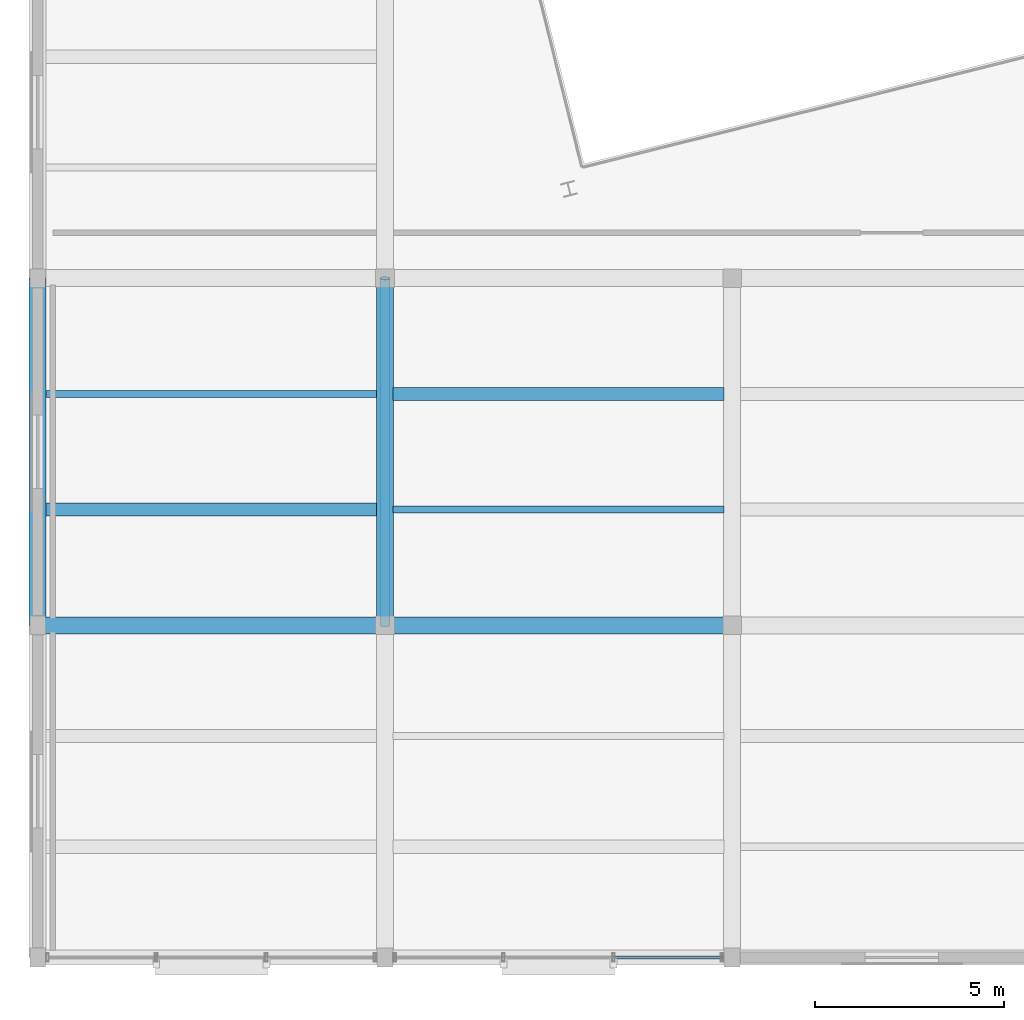
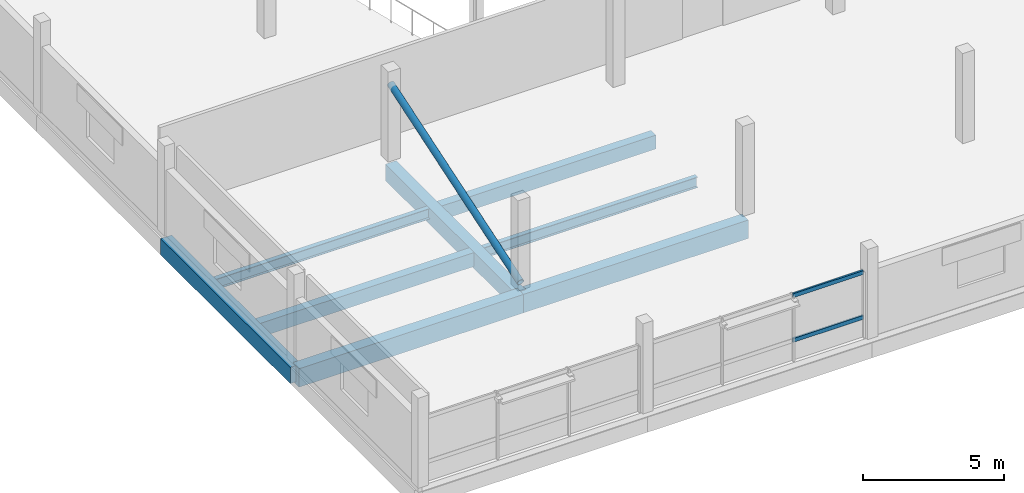
# One storey, part 8 of 62: 8 beams, 3 members, 1 element without a shape of its own.
"""IFC4 building model written with IfcOpenShell, lengths in metres."""

import ifcopenshell
import ifcopenshell.guid

model = None  # the IFC model being written
_history = None  # IfcOwnerHistory: only IFC2X3 demands one
_inside = {}  # id of a spatial element -> (the spatial element, [elements in it])
_under = {}  # id of a project, library or spatial element -> (it, [spatial elements below it])
_declared = {}  # id of a project -> (the project, [libraries it declares])
_typed = {}  # id of a type object -> (the type object, [elements of that type])
_made_of = {}  # id of a material, layer set ... -> (it, [elements and type objects made of it])


def new_model(schema):
    """Start an empty IFC model of exactly this schema.

    Asked for "IFC4X3", IfcOpenShell would pick the latest addendum, in which some entities
    have other attributes; the version numbers below select the first issue.
    IFC2X3 requires an IfcOwnerHistory on every rooted entity: one is made here for all.
    """
    global model, _history
    if schema == "IFC4X3":
        model = ifcopenshell.file(schema_version=(4, 3, 0, 0))
    else:
        model = ifcopenshell.file(schema=schema)
    _inside.clear()
    _under.clear()
    _declared.clear()
    _typed.clear()
    _made_of.clear()
    _history = None
    if model.schema == "IFC2X3":
        org = make("IfcOrganization", Name="unknown")
        user = make(
            "IfcPersonAndOrganization",
            ThePerson=make("IfcPerson", FamilyName="unknown"),
            TheOrganization=org,
        )
        app = make(
            "IfcApplication",
            ApplicationDeveloper=org,
            Version="unknown",
            ApplicationFullName="unknown",
            ApplicationIdentifier="unknown",
        )
        _history = make(
            "IfcOwnerHistory",
            OwningUser=user,
            OwningApplication=app,
            ChangeAction="ADDED",
            CreationDate=0,
        )
    return model


def make(cls, **values):
    """One entity of the class cls with the attributes given. An attribute that is None is left unset."""
    return model.create_entity(
        cls, **{name: value for name, value in values.items() if value is not None}
    )


def rooted(cls, **values):
    """An entity with a GlobalId (a new one), such as an element, a storey or a relation."""
    return make(cls, GlobalId=ifcopenshell.guid.new(), OwnerHistory=_history, **values)


def si_unit(unit_type, name, prefix=None):
    """IfcSIUnit, for example si_unit("LENGTHUNIT", "METRE", prefix="MILLI")."""
    return make("IfcSIUnit", UnitType=unit_type, Prefix=prefix, Name=name)


def assignment(units):
    """IfcUnitAssignment: the units of a project."""
    return None if units is None else make("IfcUnitAssignment", Units=units)


def point(xyz):
    """IfcCartesianPoint."""
    return None if xyz is None else make("IfcCartesianPoint", Coordinates=xyz)


def direction(xyz):
    """IfcDirection."""
    return None if xyz is None else make("IfcDirection", DirectionRatios=xyz)


def frame(location, z_axis=None, x_axis=None):
    """IfcAxis2Placement3D, a coordinate frame: its origin and axes. An axis left out is left unset."""
    return make(
        "IfcAxis2Placement3D",
        Location=point(location),
        Axis=direction(z_axis),
        RefDirection=direction(x_axis),
    )


def frame_2d(location, x_axis=None):
    """IfcAxis2Placement2D, a coordinate frame in the plane: its origin and x axis."""
    return make(
        "IfcAxis2Placement2D", Location=point(location), RefDirection=direction(x_axis)
    )


def origin():
    """The frame at (0, 0, 0) with its axes left unset."""
    return frame((0.0, 0.0, 0.0))


def origin_2d():
    """The frame at (0, 0) in the plane with its x axis left unset."""
    return frame_2d((0.0, 0.0))


def place(relative_to, where):
    """IfcLocalPlacement: puts the frame where relative to a parent placement (None: the world)."""
    return make(
        "IfcLocalPlacement", PlacementRelTo=relative_to, RelativePlacement=where
    )


def context(
    kind, dimensions, precision=None, world=None, true_north=None, identifier=None
):
    """IfcGeometricRepresentationContext, for example the 3D "Model" context."""
    return make(
        "IfcGeometricRepresentationContext",
        ContextIdentifier=identifier,
        ContextType=kind,
        CoordinateSpaceDimension=dimensions,
        Precision=precision,
        WorldCoordinateSystem=world,
        TrueNorth=true_north,
    )


def subcontext(parent, identifier, kind, view, scale=None):
    """IfcGeometricRepresentationSubContext, for example "Body" below "Model"."""
    return make(
        "IfcGeometricRepresentationSubContext",
        ContextIdentifier=identifier,
        ContextType=kind,
        ParentContext=parent,
        TargetScale=scale,
        TargetView=view,
    )


def project(units=None, contexts=None):
    """IfcProject with its units and contexts."""
    return rooted(
        "IfcProject",
        Name="project",
        RepresentationContexts=contexts,
        UnitsInContext=assignment(units),
    )


def spatial(cls, under=None, at=None, **own):
    """A site, building, storey or space (cls), placed at a placement, below another one or the project."""
    s = rooted(cls, ObjectPlacement=at, **own)
    if under is not None:
        _under.setdefault(under.id(), (under, []))[1].append(s)
    return s


def profile(cls, at=None, kind="AREA", **sizes):
    """A parametric profile (cls). Its sizes go by their IFC names, for example OverallWidth=200.0."""
    return make(cls, ProfileType=kind, Position=at, **sizes)


def rectangle(**sizes):
    """IfcRectangleProfileDef."""
    return profile("IfcRectangleProfileDef", **sizes)


def hollow_rectangle(**sizes):
    """IfcRectangleHollowProfileDef."""
    return profile("IfcRectangleHollowProfileDef", **sizes)


def hollow_circle(**sizes):
    """IfcCircleHollowProfileDef."""
    return profile("IfcCircleHollowProfileDef", **sizes)


def i_section(**sizes):
    """IfcIShapeProfileDef."""
    return profile("IfcIShapeProfileDef", **sizes)


def extrude(swept, where, along, depth):
    """IfcExtrudedAreaSolid: the profile swept, set in the frame where, extruded along a direction by depth."""
    return make(
        "IfcExtrudedAreaSolid",
        SweptArea=swept,
        Position=where,
        ExtrudedDirection=direction(along),
        Depth=depth,
    )


def shape(context_of_items, identifier, shape_type, items):
    """IfcShapeRepresentation: the items that make up one representation, for example the "Body"."""
    return make(
        "IfcShapeRepresentation",
        ContextOfItems=context_of_items,
        RepresentationIdentifier=identifier,
        RepresentationType=shape_type,
        Items=items,
    )


def material(Name=None, Category=None):
    """IfcMaterial."""
    return make("IfcMaterial", Name=Name, Category=Category)


def layer(
    of_material, thickness, ventilated=None, Name=None, Category=None, Priority=None
):
    """IfcMaterialLayer: one layer of a wall or slab, of a material (None: an air gap)."""
    return make(
        "IfcMaterialLayer",
        Material=of_material,
        LayerThickness=thickness,
        IsVentilated=ventilated,
        Name=Name,
        Category=Category,
        Priority=Priority,
    )


def layer_set(layers, Name=None):
    """IfcMaterialLayerSet."""
    return make("IfcMaterialLayerSet", MaterialLayers=layers, LayerSetName=Name)


def material_profile(
    of_material, cross_section, Name=None, Category=None, Priority=None
):
    """IfcMaterialProfile: a cross section and its material."""
    return make(
        "IfcMaterialProfile",
        Name=Name,
        Material=of_material,
        Profile=cross_section,
        Priority=Priority,
        Category=Category,
    )


def profile_set(profiles, Name=None, composite=None):
    """IfcMaterialProfileSet."""
    return make(
        "IfcMaterialProfileSet",
        Name=Name,
        MaterialProfiles=profiles,
        CompositeProfile=composite,
    )


def made_of(thing, what):
    """Note that an element or type object is made of a material, layer set ...; save() writes the relation."""
    if what is not None:
        _made_of.setdefault(what.id(), (what, []))[1].append(thing)
    return thing


def type_object(cls, material=None, **own):
    """A type object (cls), such as IfcWallType, which elements share."""
    return made_of(rooted(cls, **own), material)


def element(
    cls,
    number,
    at=None,
    inside=None,
    cuts=None,
    type_object=None,
    material=None,
    context=None,
    identifier="Body",
    shape_type=None,
    held_by="IfcProductDefinitionShape",
    body=None,
    shapes=None,
    **own,
):
    """One element of the class cls, such as IfcWall. Its Tag is "e" and its number.

    at: its placement. inside: the storey or other place that contains it. cuts: it is an
    opening in that element (IfcRelVoidsElement). A single representation is given by context,
    identifier, shape_type and body (its items); several are given by shapes. held_by: the class
    of the entity that holds the representations. save() writes the other relations.
    """
    e = rooted(cls, Tag="e%d" % number, ObjectPlacement=at, **own)
    if body is not None:
        shapes = [shape(context, identifier, shape_type, body)]
    if shapes is not None:
        e.Representation = make(held_by, Representations=shapes)
    if inside is not None:
        _inside.setdefault(inside.id(), (inside, []))[1].append(e)
    if cuts is not None:
        rooted(
            "IfcRelVoidsElement", RelatingBuildingElement=cuts, RelatedOpeningElement=e
        )
    if type_object is not None:
        _typed.setdefault(type_object.id(), (type_object, []))[1].append(e)
    return made_of(e, material)


def aggregate(whole, parts):
    """IfcRelAggregates: a whole, such as a stair, and the parts it consists of."""
    return rooted("IfcRelAggregates", RelatingObject=whole, RelatedObjects=parts)


def save(model, path):
    """Write the relations noted so far, then the file.

    IfcRelAggregates (storeys below a building ...), IfcRelContainedInSpatialStructure (elements
    in a storey), IfcRelDefinesByType, IfcRelAssociatesMaterial and IfcRelDeclares: one each for
    every whole, place, type object, material and project.
    """
    for whole, parts in _under.values():
        aggregate(whole, parts)
    for where, things in _inside.values():
        rooted(
            "IfcRelContainedInSpatialStructure",
            RelatedElements=things,
            RelatingStructure=where,
        )
    for kind, things in _typed.values():
        rooted("IfcRelDefinesByType", RelatedObjects=things, RelatingType=kind)
    for what, things in _made_of.values():
        rooted("IfcRelAssociatesMaterial", RelatedObjects=things, RelatingMaterial=what)
    for by, libraries in _declared.values():
        rooted("IfcRelDeclares", RelatingContext=by, RelatedDefinitions=libraries)
    model.write(path)


model = new_model("IFC4")

# Units and contexts
model_context = context("Model", 3, precision=1e-05, world=origin(), true_north=direction((0.0, 1.0)))
body_context = subcontext(model_context, "Body", "Model", "MODEL_VIEW")
ifc_project = project(units=[si_unit("LENGTHUNIT", "METRE"), si_unit("AREAUNIT", "SQUARE_METRE"), si_unit("VOLUMEUNIT", "CUBIC_METRE"), si_unit("PLANEANGLEUNIT", "RADIAN"), si_unit("MASSUNIT", "GRAM", prefix="KILO")], contexts=[model_context])

# Site, building, storey
site_placement = place(None, origin())
site = spatial("IfcSite", under=ifc_project, at=site_placement, CompositionType="ELEMENT")
building_placement = place(site_placement, origin())
building = spatial("IfcBuilding", under=site, at=building_placement, Name="Meriwether Solvik Hall", CompositionType="ELEMENT")
storey_placement = place(building_placement, frame((0.0, 0.0, 14.39990234375)))
storey = spatial("IfcBuildingStorey", under=building, at=storey_placement, Name="L03", CompositionType="ELEMENT", Elevation=14.39990234375)

# Beams
ifc_material_1 = material(Name="Concrete C40/50", Category="concrete")
ifc_material_profile_1 = material_profile(ifc_material_1, rectangle(XDim=0.35009765625, YDim=0.60009765625, at=origin_2d()), Name="RCB-350X600")
ifc_profile_set_1 = profile_set([ifc_material_profile_1], Name="Concrete C40/50")
beam_type_1 = type_object("IfcBeamType", Name="BM-RC-350X600", PredefinedType="JOIST", material=ifc_profile_set_1)
beam_1_placement = place(storey_placement, frame((59.6201171875, 17.066650390625, -0.544921875), z_axis=(1.0, 0.0, 0.0), x_axis=(0.0, 1.0, 0.0)))
element("IfcBeam", 1, at=beam_1_placement, inside=storey, type_object=beam_type_1, Name="Secondary Floor Joist 7/B_J1 (L03)", PredefinedType="JOIST", context=body_context, shape_type="SweptSolid", body=[
    extrude(rectangle(XDim=0.35009765625, YDim=0.60009765625, at=origin_2d()), origin(), (0.0, 0.0, 1.0), 8.759765625),
])
beam_2_placement = place(storey_placement, frame((68.820068359375, 20.13330078125, -0.544921875), z_axis=(1.0, 0.0, 0.0), x_axis=(0.0, 1.0, 0.0)))
element("IfcBeam", 2, at=beam_2_placement, inside=storey, type_object=beam_type_1, Name="Secondary Floor Joist 8/B_J2 (L03)", PredefinedType="JOIST", context=body_context, shape_type="SweptSolid", body=[
    extrude(rectangle(XDim=0.35009765625, YDim=0.60009765625, at=origin_2d()), origin(), (0.0, 0.0, 1.0), 8.760009765625),
])
ifc_material_2 = material(Name="Concrete C40/50", Category="concrete")
ifc_material_profile_2 = material_profile(ifc_material_2, rectangle(XDim=0.449951171875, YDim=0.699951171875, at=origin_2d()), Name="RCB-450X700")
ifc_profile_set_2 = profile_set([ifc_material_profile_2], Name="Concrete C40/50")
beam_type_2 = type_object("IfcBeamType", Name="BM-RC-450X700", PredefinedType="BEAM", material=ifc_profile_set_2)
for number, where, z_axis, x_axis, name in (
    (3, (59.39990234375, 14.0, -0.594970703125), (0.0, 1.0, 0.0), (-1.0, 0.0, 0.0), "Podium Girder 7:B-C (L03)"),
    (4, (68.60009765625, 14.0, -0.594970703125), (0.0, 1.0, 0.0), (-1.0, 0.0, 0.0), "Podium Girder 8:B-C (L03)"),
):
    element("IfcBeam", number, at=place(storey_placement, frame(where, z_axis=z_axis, x_axis=x_axis)), inside=storey, type_object=beam_type_2, Name=name, PredefinedType="BEAM", context=body_context, shape_type="SweptSolid", body=[
        extrude(rectangle(XDim=0.449951171875, YDim=0.699951171875, at=origin_2d()), origin(), (0.0, 0.0, 1.0), 9.199951171875),
    ])
ifc_material_3 = material(Name="Concrete C40/50", Category="concrete")
ifc_material_profile_3 = material_profile(ifc_material_3, rectangle(XDim=0.449951171875, YDim=0.800048828125, at=origin_2d()), Name="RCB-450X800")
ifc_profile_set_3 = profile_set([ifc_material_profile_3], Name="Concrete C40/50")
beam_type_3 = type_object("IfcBeamType", Name="BM-RC-450X800", PredefinedType="BEAM", material=ifc_profile_set_3)
beam_3_placement = place(storey_placement, frame((59.39990234375, 14.0, -0.64501953125), z_axis=(1.0, 0.0, 0.0), x_axis=(0.0, 1.0, 0.0)))
element("IfcBeam", 5, at=beam_3_placement, inside=storey, type_object=beam_type_3, Name="Podium Girder B:7-8 (L03)", PredefinedType="BEAM", context=body_context, shape_type="SweptSolid", body=[
    extrude(rectangle(XDim=0.449951171875, YDim=0.800048828125, at=origin_2d()), origin(), (0.0, 0.0, 1.0), 9.2001953125),
])
beam_4_placement = place(storey_placement, frame((68.60009765625, 14.0, -0.64501953125), z_axis=(1.0, 0.0, 0.0), x_axis=(0.0, 1.0, 0.0)))
element("IfcBeam", 6, at=beam_4_placement, inside=storey, type_object=beam_type_3, Name="Podium Girder B:8-9 (L03)", PredefinedType="BEAM", context=body_context, shape_type="SweptSolid", body=[
    extrude(rectangle(XDim=0.449951171875, YDim=0.800048828125, at=origin_2d()), origin(), (0.0, 0.0, 1.0), 9.199951171875),
])
ifc_material_4 = material(Name="Steel A992 Grade 50", Category="steel")
ifc_material_profile_4 = material_profile(ifc_material_4, i_section(OverallWidth=0.19091796875, OverallDepth=0.45703125, WebThickness=0.009033203125, FlangeThickness=0.014404296875, at=origin_2d()), Name="W18X50")
ifc_profile_set_4 = profile_set([ifc_material_profile_4], Name="Steel A992 Grade 50")
beam_type_4 = type_object("IfcBeamType", Name="BM-STL-W18X50", PredefinedType="JOIST", material=ifc_profile_set_4)
beam_5_placement = place(storey_placement, frame((59.6201171875, 20.13330078125, -0.473388671875), z_axis=(1.0, 0.0, 0.0), x_axis=(0.0, 1.0, 0.0)))
element("IfcBeam", 7, at=beam_5_placement, inside=storey, type_object=beam_type_4, Name="Secondary Floor Joist 7/B_J2 (L03)", PredefinedType="JOIST", context=body_context, shape_type="SweptSolid", body=[
    extrude(i_section(OverallWidth=0.19091796875, OverallDepth=0.45703125, WebThickness=0.009033203125, FlangeThickness=0.014404296875, at=origin_2d()), origin(), (0.0, 0.0, 1.0), 8.759765625),
])
beam_6_placement = place(storey_placement, frame((68.820068359375, 17.066650390625, -0.473388671875), z_axis=(1.0, 0.0, 0.0), x_axis=(0.0, 1.0, 0.0)))
element("IfcBeam", 8, at=beam_6_placement, inside=storey, type_object=beam_type_4, Name="Secondary Floor Joist 8/B_J1 (L03)", PredefinedType="JOIST", context=body_context, shape_type="SweptSolid", body=[
    extrude(i_section(OverallWidth=0.19091796875, OverallDepth=0.45703125, WebThickness=0.009033203125, FlangeThickness=0.014404296875, at=origin_2d()), origin(), (0.0, 0.0, 1.0), 8.760009765625),
])

# Curtain wall, members
ifc_material_5 = material(Name="Thermally Broken Anodised Aluminium 6063-T6 and Low-E Glass", Category="aluminium")
ifc_layer = layer(ifc_material_5, 0.179931640625)
ifc_layer_set = layer_set([ifc_layer], Name="Thermally Broken Anodised Aluminium 6063-T6 and Low-E Glass")
curtain_wall_type = type_object("IfcCurtainWallType", Name="CW-UNIT-E", PredefinedType="USERDEFINED", material=ifc_layer_set)
curtain_wall_placement = place(storey_placement, origin())
curtain_wall = element("IfcCurtainWall", 9, at=curtain_wall_placement, inside=storey, type_object=curtain_wall_type, Name="Curtain Wall wing_XA_8_1 (L03)", ObjectType="UNITISED CURTAIN WALL", PredefinedType="USERDEFINED")
ifc_material_6 = material(Name="Anodised Aluminium 6063-T6", Category="aluminium")
ifc_material_profile_5 = material_profile(ifc_material_6, hollow_rectangle(XDim=0.074951171875, YDim=0.169921875, WallThickness=0.005615234375, at=origin_2d()), Name="CWT-75X170")
ifc_profile_set_5 = profile_set([ifc_material_profile_5], Name="Anodised Aluminium 6063-T6")
member_type_1 = type_object("IfcMemberType", Name="CW-TRN-75X170", PredefinedType="USERDEFINED", material=ifc_profile_set_5)
member_1_placement = place(storey_placement, frame((77.5400390625, 5.199951171875, 0.856689453125), z_axis=(-1.0, 0.0, 0.0), x_axis=(0.0, -1.0, 0.0)))
member_1 = element("IfcMember", 10, at=member_1_placement, type_object=member_type_1, Name="Curtain Wall Transom 1-sill", ObjectType="TRANSOM", PredefinedType="USERDEFINED", context=body_context, shape_type="SweptSolid", body=[
    extrude(hollow_rectangle(XDim=0.074951171875, YDim=0.169921875, WallThickness=0.005615234375, at=origin_2d()), origin(), (0.0, 0.0, 1.0), 2.880615234375),
])
member_2_placement = place(storey_placement, frame((77.5400390625, 5.199951171875, 2.795166015625), z_axis=(-1.0, 0.0, 0.0), x_axis=(0.0, -1.0, 0.0)))
member_2 = element("IfcMember", 11, at=member_2_placement, type_object=member_type_1, Name="Curtain Wall Transom 1-head", ObjectType="TRANSOM", PredefinedType="USERDEFINED", context=body_context, shape_type="SweptSolid", body=[
    extrude(hollow_rectangle(XDim=0.074951171875, YDim=0.169921875, WallThickness=0.005615234375, at=origin_2d()), origin(), (0.0, 0.0, 1.0), 2.880615234375),
])
aggregate(curtain_wall, [member_1, member_2])

# Member
ifc_material_7 = material(Name="Steel A500 Grade C", Category="steel")
ifc_material_profile_6 = material_profile(ifc_material_7, hollow_circle(Radius=0.136474609375, WallThickness=0.0126953125, at=origin_2d()), Name="CHS273X12.7")
ifc_profile_set_6 = profile_set([ifc_material_profile_6], Name="Steel A500 Grade C")
member_type_2 = type_object("IfcMemberType", Name="MEM-BR-CHS273", PredefinedType="BRACE", material=ifc_profile_set_6)
member_3_placement = place(storey_placement, frame((68.60009765625, 14.0, 0.150146484375), z_axis=(0.0, 0.95058054102, 0.310478074964), x_axis=(-1.0, 0.0, 0.0)))
element("IfcMember", 12, at=member_3_placement, inside=storey, type_object=member_type_2, Name="Podium Diagonal Brace L03-PB2", PredefinedType="BRACE", context=body_context, shape_type="SweptSolid", body=[
    extrude(hollow_circle(Radius=0.136474609375, WallThickness=0.0126953125, at=origin_2d()), origin(), (0.0, 0.0, 1.0), 9.67822265625),
])

save(model, "model.ifc")
